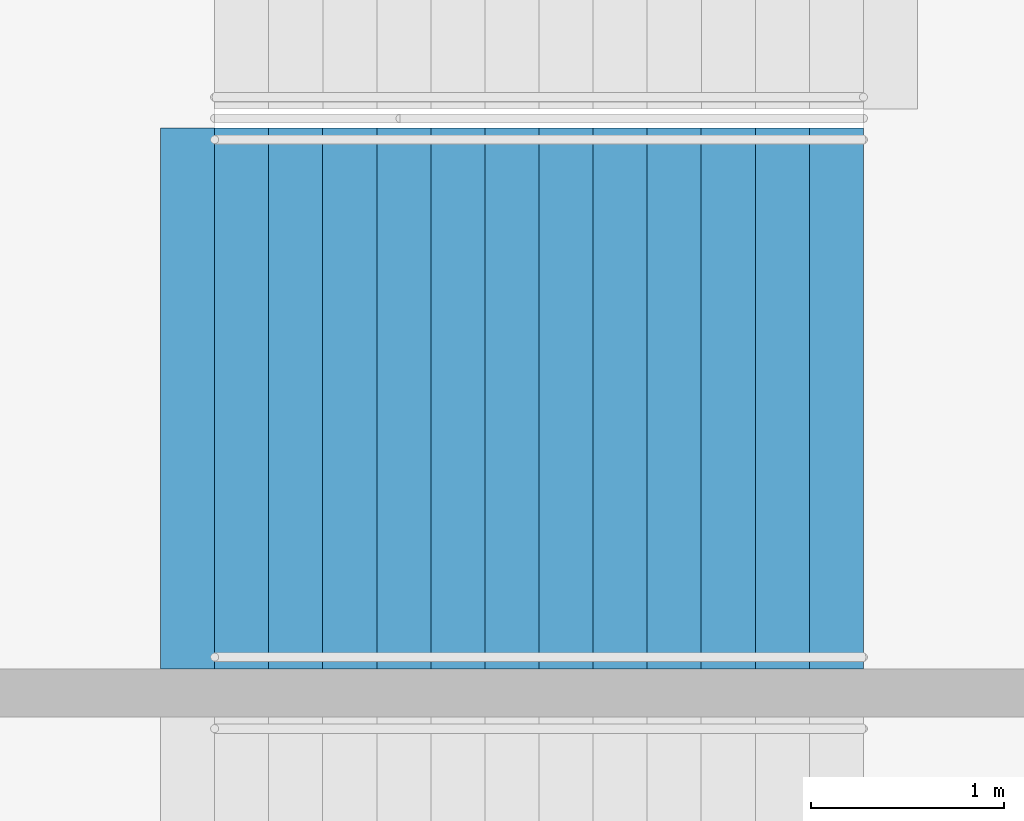
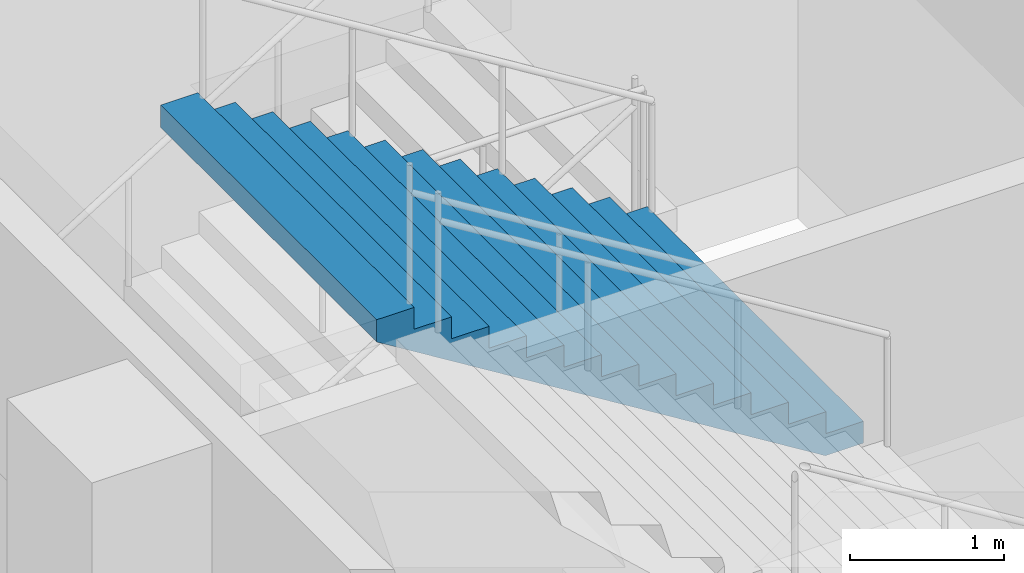
# One storey, part 182 of 249: 1 stair flight, 1 element without a shape of its own.
"""IFC4 building model written with IfcOpenShell, lengths in metres."""

from ifc_helpers import new_model, si_unit, direction, frame, origin, place, context, subcontext, project, spatial, faceted_brep, material, type_object, element, aggregate, save


model = new_model("IFC4")

# Units and contexts
model_context = context("Model", 3, precision=1e-05, world=origin(), true_north=direction((0.0, 1.0)))
body_context = subcontext(model_context, "Body", "Model", "MODEL_VIEW")
ifc_project = project(units=[si_unit("LENGTHUNIT", "METRE"), si_unit("AREAUNIT", "SQUARE_METRE"), si_unit("VOLUMEUNIT", "CUBIC_METRE"), si_unit("PLANEANGLEUNIT", "RADIAN"), si_unit("MASSUNIT", "GRAM", prefix="KILO")], contexts=[model_context])

# Site, building, storey
site_placement = place(None, origin())
site = spatial("IfcSite", under=ifc_project, at=site_placement, CompositionType="ELEMENT")
building_placement = place(site_placement, origin())
building = spatial("IfcBuilding", under=site, at=building_placement, Name="Ogive Plaza Stadium", CompositionType="ELEMENT")
storey_placement = place(building_placement, frame((0.0, 0.0, 13.5)))
storey = spatial("IfcBuildingStorey", under=building, at=storey_placement, Name="L03", CompositionType="ELEMENT", Elevation=13.5)

# Stair, stair flight
ifc_material_1 = material(Name="Concrete C40/50", Category="concrete")
stair_type = type_object("IfcStairType", Name="Exit stair", PredefinedType="STRAIGHT_RUN_STAIR", material=ifc_material_1)
stair_placement = place(storey_placement, origin())
stair = element("IfcStair", 1, at=stair_placement, inside=storey, type_object=stair_type, Name="Exit stair ST06B L03 to L04", PredefinedType="STRAIGHT_RUN_STAIR")
ifc_material_2 = material(Name="Concrete C40/50", Category="concrete")
stair_flight_type = type_object("IfcStairFlightType", Name="Exit stair flight", PredefinedType="STRAIGHT", material=ifc_material_2)
stair_flight_placement = place(storey_placement, frame((79.7099609375, -20.97509765625, 2.25), z_axis=(0.0, 0.0, 1.0), x_axis=(-1.0, 0.0, 0.0)))
stair_flight = element("IfcStairFlight", 2, at=stair_flight_placement, type_object=stair_flight_type, Name="ST06B flight 2", NumberOfRisers=13, NumberOfTreads=12, PredefinedType="STRAIGHT", RiserHeight=0.173076923, TreadLength=0.28, context=body_context, shape_type="Brep", body=[
    faceted_brep([(0.28515625, -1.39990234375, 0.0), (3.639892578125, -1.39990234375, 2.07373046875), (3.639892578125, -1.39990234375, 2.25), (3.360107421875, -1.39990234375, 2.25), (3.360107421875, -1.39990234375, 2.076904296875), (3.080078125, -1.39990234375, 2.076904296875), (3.080078125, -1.39990234375, 1.90380859375), (2.800048828125, -1.39990234375, 1.90380859375), (2.800048828125, -1.39990234375, 1.730712890625), (2.52001953125, -1.39990234375, 1.730712890625), (2.52001953125, -1.39990234375, 1.5576171875), (2.239990234375, -1.39990234375, 1.5576171875), (2.239990234375, -1.39990234375, 1.384521484375), (1.9599609375, -1.39990234375, 1.384521484375), (1.9599609375, -1.39990234375, 1.21142578125), (1.679931640625, -1.39990234375, 1.21142578125), (1.679931640625, -1.39990234375, 1.03857421875), (1.39990234375, -1.39990234375, 1.03857421875), (1.39990234375, -1.39990234375, 0.865478515625), (1.1201171875, -1.39990234375, 0.865478515625), (1.1201171875, -1.39990234375, 0.6923828125), (0.840087890625, -1.39990234375, 0.6923828125), (0.840087890625, -1.39990234375, 0.519287109375), (0.56005859375, -1.39990234375, 0.519287109375), (0.56005859375, -1.39990234375, 0.34619140625), (0.280029296875, -1.39990234375, 0.34619140625), (0.280029296875, -1.39990234375, 0.173095703125), (0.0, -1.39990234375, 0.173095703125), (0.0, -1.39990234375, 0.0), (0.0, 1.39990234375, 0.0), (0.0, 1.39990234375, 0.173095703125), (0.280029296875, 1.39990234375, 0.173095703125), (0.280029296875, 1.39990234375, 0.34619140625), (0.56005859375, 1.39990234375, 0.34619140625), (0.56005859375, 1.39990234375, 0.519287109375), (0.840087890625, 1.39990234375, 0.519287109375), (0.840087890625, 1.39990234375, 0.6923828125), (1.1201171875, 1.39990234375, 0.6923828125), (1.1201171875, 1.39990234375, 0.865478515625), (1.39990234375, 1.39990234375, 0.865478515625), (1.39990234375, 1.39990234375, 1.03857421875), (1.679931640625, 1.39990234375, 1.03857421875), (1.679931640625, 1.39990234375, 1.21142578125), (1.9599609375, 1.39990234375, 1.21142578125), (1.9599609375, 1.39990234375, 1.384521484375), (2.239990234375, 1.39990234375, 1.384521484375), (2.239990234375, 1.39990234375, 1.5576171875), (2.52001953125, 1.39990234375, 1.5576171875), (2.52001953125, 1.39990234375, 1.730712890625), (2.800048828125, 1.39990234375, 1.730712890625), (2.800048828125, 1.39990234375, 1.90380859375), (3.080078125, 1.39990234375, 1.90380859375), (3.080078125, 1.39990234375, 2.076904296875), (3.360107421875, 1.39990234375, 2.076904296875), (3.360107421875, 1.39990234375, 2.25), (3.639892578125, 1.39990234375, 2.25), (3.639892578125, 1.39990234375, 2.07373046875), (0.28515625, 1.39990234375, 0.0), (0.28515625, -1.0888671875, 0.0), (3.639892578125, -1.0888671875, 2.07373046875), (0.28515625, -0.77783203125, 0.0), (3.639892578125, -0.77783203125, 2.07373046875), (0.28515625, -0.466796875, 0.0), (3.639892578125, -0.466796875, 2.07373046875), (0.28515625, -0.155517578125, 0.0), (3.639892578125, -0.155517578125, 2.07373046875), (0.28515625, 0.155517578125, 0.0), (3.639892578125, 0.155517578125, 2.07373046875), (0.28515625, 0.466796875, 0.0), (3.639892578125, 0.466796875, 2.07373046875), (0.28515625, 0.77783203125, 0.0), (3.639892578125, 0.77783203125, 2.07373046875), (0.28515625, 1.0888671875, 0.0), (3.639892578125, 1.0888671875, 2.07373046875), (3.639892578125, -1.0888671875, 2.25), (3.639892578125, -0.77783203125, 2.25), (3.639892578125, -0.466796875, 2.25), (3.639892578125, -0.155517578125, 2.25), (3.639892578125, 0.155517578125, 2.25), (3.639892578125, 0.466796875, 2.25), (3.639892578125, 0.77783203125, 2.25), (3.639892578125, 1.0888671875, 2.25), (3.360107421875, -1.0888671875, 2.25), (3.360107421875, -0.77783203125, 2.25), (3.360107421875, -0.466796875, 2.25), (3.360107421875, -0.155517578125, 2.25), (3.360107421875, 0.155517578125, 2.25), (3.360107421875, 0.466796875, 2.25), (3.360107421875, 0.77783203125, 2.25), (3.360107421875, 1.0888671875, 2.25), (3.360107421875, -1.0888671875, 2.076904296875), (3.360107421875, -0.77783203125, 2.076904296875), (3.360107421875, -0.466796875, 2.076904296875), (3.360107421875, -0.155517578125, 2.076904296875), (3.360107421875, 0.155517578125, 2.076904296875), (3.360107421875, 0.466796875, 2.076904296875), (3.360107421875, 0.77783203125, 2.076904296875), (3.360107421875, 1.0888671875, 2.076904296875), (3.080078125, -1.0888671875, 2.076904296875), (3.080078125, -0.77783203125, 2.076904296875), (3.080078125, -0.466796875, 2.076904296875), (3.080078125, -0.155517578125, 2.076904296875), (3.080078125, 0.155517578125, 2.076904296875), (3.080078125, 0.466796875, 2.076904296875), (3.080078125, 0.77783203125, 2.076904296875), (3.080078125, 1.0888671875, 2.076904296875), (3.080078125, -1.0888671875, 1.90380859375), (3.080078125, -0.77783203125, 1.90380859375), (3.080078125, -0.466796875, 1.90380859375), (3.080078125, -0.155517578125, 1.90380859375), (3.080078125, 0.155517578125, 1.90380859375), (3.080078125, 0.466796875, 1.90380859375), (3.080078125, 0.77783203125, 1.90380859375), (3.080078125, 1.0888671875, 1.90380859375), (2.800048828125, -1.0888671875, 1.90380859375), (2.800048828125, -0.77783203125, 1.90380859375), (2.800048828125, -0.466796875, 1.90380859375), (2.800048828125, -0.155517578125, 1.90380859375), (2.800048828125, 0.155517578125, 1.90380859375), (2.800048828125, 0.466796875, 1.90380859375), (2.800048828125, 0.77783203125, 1.90380859375), (2.800048828125, 1.0888671875, 1.90380859375), (2.800048828125, -1.0888671875, 1.730712890625), (2.800048828125, -0.77783203125, 1.730712890625), (2.800048828125, -0.466796875, 1.730712890625), (2.800048828125, -0.155517578125, 1.730712890625), (2.800048828125, 0.155517578125, 1.730712890625), (2.800048828125, 0.466796875, 1.730712890625), (2.800048828125, 0.77783203125, 1.730712890625), (2.800048828125, 1.0888671875, 1.730712890625), (2.52001953125, -1.0888671875, 1.730712890625), (2.52001953125, -0.77783203125, 1.730712890625), (2.52001953125, -0.466796875, 1.730712890625), (2.52001953125, -0.155517578125, 1.730712890625), (2.52001953125, 0.155517578125, 1.730712890625), (2.52001953125, 0.466796875, 1.730712890625), (2.52001953125, 0.77783203125, 1.730712890625), (2.52001953125, 1.0888671875, 1.730712890625), (2.52001953125, -1.0888671875, 1.5576171875), (2.52001953125, -0.77783203125, 1.5576171875), (2.52001953125, -0.466796875, 1.5576171875), (2.52001953125, -0.155517578125, 1.5576171875), (2.52001953125, 0.155517578125, 1.5576171875), (2.52001953125, 0.466796875, 1.5576171875), (2.52001953125, 0.77783203125, 1.5576171875), (2.52001953125, 1.0888671875, 1.5576171875), (2.239990234375, -1.0888671875, 1.5576171875), (2.239990234375, -0.77783203125, 1.5576171875), (2.239990234375, -0.466796875, 1.5576171875), (2.239990234375, -0.155517578125, 1.5576171875), (2.239990234375, 0.155517578125, 1.5576171875), (2.239990234375, 0.466796875, 1.5576171875), (2.239990234375, 0.77783203125, 1.5576171875), (2.239990234375, 1.0888671875, 1.5576171875), (2.239990234375, -1.0888671875, 1.384521484375), (2.239990234375, -0.77783203125, 1.384521484375), (2.239990234375, -0.466796875, 1.384521484375), (2.239990234375, -0.155517578125, 1.384521484375), (2.239990234375, 0.155517578125, 1.384521484375), (2.239990234375, 0.466796875, 1.384521484375), (2.239990234375, 0.77783203125, 1.384521484375), (2.239990234375, 1.0888671875, 1.384521484375), (1.9599609375, -1.0888671875, 1.384521484375), (1.9599609375, -0.77783203125, 1.384521484375), (1.9599609375, -0.466796875, 1.384521484375), (1.9599609375, -0.155517578125, 1.384521484375), (1.9599609375, 0.155517578125, 1.384521484375), (1.9599609375, 0.466796875, 1.384521484375), (1.9599609375, 0.77783203125, 1.384521484375), (1.9599609375, 1.0888671875, 1.384521484375), (1.9599609375, -1.0888671875, 1.21142578125), (1.9599609375, -0.77783203125, 1.21142578125), (1.9599609375, -0.466796875, 1.21142578125), (1.9599609375, -0.155517578125, 1.21142578125), (1.9599609375, 0.155517578125, 1.21142578125), (1.9599609375, 0.466796875, 1.21142578125), (1.9599609375, 0.77783203125, 1.21142578125), (1.9599609375, 1.0888671875, 1.21142578125), (1.679931640625, -1.0888671875, 1.21142578125), (1.679931640625, -0.77783203125, 1.21142578125), (1.679931640625, -0.466796875, 1.21142578125), (1.679931640625, -0.155517578125, 1.21142578125), (1.679931640625, 0.155517578125, 1.21142578125), (1.679931640625, 0.466796875, 1.21142578125), (1.679931640625, 0.77783203125, 1.21142578125), (1.679931640625, 1.0888671875, 1.21142578125), (1.679931640625, -1.0888671875, 1.03857421875), (1.679931640625, -0.77783203125, 1.03857421875), (1.679931640625, -0.466796875, 1.03857421875), (1.679931640625, -0.155517578125, 1.03857421875), (1.679931640625, 0.155517578125, 1.03857421875), (1.679931640625, 0.466796875, 1.03857421875), (1.679931640625, 0.77783203125, 1.03857421875), (1.679931640625, 1.0888671875, 1.03857421875), (1.39990234375, -1.0888671875, 1.03857421875), (1.39990234375, -0.77783203125, 1.03857421875), (1.39990234375, -0.466796875, 1.03857421875), (1.39990234375, -0.155517578125, 1.03857421875), (1.39990234375, 0.155517578125, 1.03857421875), (1.39990234375, 0.466796875, 1.03857421875), (1.39990234375, 0.77783203125, 1.03857421875), (1.39990234375, 1.0888671875, 1.03857421875), (1.39990234375, -1.0888671875, 0.865478515625), (1.39990234375, -0.77783203125, 0.865478515625), (1.39990234375, -0.466796875, 0.865478515625), (1.39990234375, -0.155517578125, 0.865478515625), (1.39990234375, 0.155517578125, 0.865478515625), (1.39990234375, 0.466796875, 0.865478515625), (1.39990234375, 0.77783203125, 0.865478515625), (1.39990234375, 1.0888671875, 0.865478515625), (1.1201171875, -1.0888671875, 0.865478515625), (1.1201171875, -0.77783203125, 0.865478515625), (1.1201171875, -0.466796875, 0.865478515625), (1.1201171875, -0.155517578125, 0.865478515625), (1.1201171875, 0.155517578125, 0.865478515625), (1.1201171875, 0.466796875, 0.865478515625), (1.1201171875, 0.77783203125, 0.865478515625), (1.1201171875, 1.0888671875, 0.865478515625), (1.1201171875, -1.0888671875, 0.6923828125), (1.1201171875, -0.77783203125, 0.6923828125), (1.1201171875, -0.466796875, 0.6923828125), (1.1201171875, -0.155517578125, 0.6923828125), (1.1201171875, 0.155517578125, 0.6923828125), (1.1201171875, 0.466796875, 0.6923828125), (1.1201171875, 0.77783203125, 0.6923828125), (1.1201171875, 1.0888671875, 0.6923828125), (0.840087890625, -1.0888671875, 0.6923828125), (0.840087890625, -0.77783203125, 0.6923828125), (0.840087890625, -0.466796875, 0.6923828125), (0.840087890625, -0.155517578125, 0.6923828125), (0.840087890625, 0.155517578125, 0.6923828125), (0.840087890625, 0.466796875, 0.6923828125), (0.840087890625, 0.77783203125, 0.6923828125), (0.840087890625, 1.0888671875, 0.6923828125), (0.840087890625, -1.0888671875, 0.519287109375), (0.840087890625, -0.77783203125, 0.519287109375), (0.840087890625, -0.466796875, 0.519287109375), (0.840087890625, -0.155517578125, 0.519287109375), (0.840087890625, 0.155517578125, 0.519287109375), (0.840087890625, 0.466796875, 0.519287109375), (0.840087890625, 0.77783203125, 0.519287109375), (0.840087890625, 1.0888671875, 0.519287109375), (0.56005859375, -1.0888671875, 0.519287109375), (0.56005859375, -0.77783203125, 0.519287109375), (0.56005859375, -0.466796875, 0.519287109375), (0.56005859375, -0.155517578125, 0.519287109375), (0.56005859375, 0.155517578125, 0.519287109375), (0.56005859375, 0.466796875, 0.519287109375), (0.56005859375, 0.77783203125, 0.519287109375), (0.56005859375, 1.0888671875, 0.519287109375), (0.56005859375, -1.0888671875, 0.34619140625), (0.56005859375, -0.77783203125, 0.34619140625), (0.56005859375, -0.466796875, 0.34619140625), (0.56005859375, -0.155517578125, 0.34619140625), (0.56005859375, 0.155517578125, 0.34619140625), (0.56005859375, 0.466796875, 0.34619140625), (0.56005859375, 0.77783203125, 0.34619140625), (0.56005859375, 1.0888671875, 0.34619140625), (0.280029296875, -1.0888671875, 0.34619140625), (0.280029296875, -0.77783203125, 0.34619140625), (0.280029296875, -0.466796875, 0.34619140625), (0.280029296875, -0.155517578125, 0.34619140625), (0.280029296875, 0.155517578125, 0.34619140625), (0.280029296875, 0.466796875, 0.34619140625), (0.280029296875, 0.77783203125, 0.34619140625), (0.280029296875, 1.0888671875, 0.34619140625), (0.280029296875, -1.0888671875, 0.173095703125), (0.280029296875, -0.77783203125, 0.173095703125), (0.280029296875, -0.466796875, 0.173095703125), (0.280029296875, -0.155517578125, 0.173095703125), (0.280029296875, 0.155517578125, 0.173095703125), (0.280029296875, 0.466796875, 0.173095703125), (0.280029296875, 0.77783203125, 0.173095703125), (0.280029296875, 1.0888671875, 0.173095703125), (0.0, -1.0888671875, 0.173095703125), (0.0, -0.77783203125, 0.173095703125), (0.0, -0.466796875, 0.173095703125), (0.0, -0.155517578125, 0.173095703125), (0.0, 0.155517578125, 0.173095703125), (0.0, 0.466796875, 0.173095703125), (0.0, 0.77783203125, 0.173095703125), (0.0, 1.0888671875, 0.173095703125), (0.0, -1.0888671875, 0.0), (0.0, -0.77783203125, 0.0), (0.0, -0.466796875, 0.0), (0.0, -0.155517578125, 0.0), (0.0, 0.155517578125, 0.0), (0.0, 0.466796875, 0.0), (0.0, 0.77783203125, 0.0), (0.0, 1.0888671875, 0.0)], [[[0, 1, 2, 3, 4, 5, 6, 7, 8, 9, 10, 11, 12, 13, 14, 15, 16, 17, 18, 19, 20, 21, 22, 23, 24, 25, 26, 27, 28]], [[29, 30, 31, 32, 33, 34, 35, 36, 37, 38, 39, 40, 41, 42, 43, 44, 45, 46, 47, 48, 49, 50, 51, 52, 53, 54, 55, 56, 57]], [[0, 58, 59, 1]], [[58, 60, 61, 59]], [[60, 62, 63, 61]], [[62, 64, 65, 63]], [[64, 66, 67, 65]], [[66, 68, 69, 67]], [[68, 70, 71, 69]], [[70, 72, 73, 71]], [[72, 57, 56, 73]], [[1, 59, 74, 2]], [[59, 61, 75, 74]], [[61, 63, 76, 75]], [[63, 65, 77, 76]], [[65, 67, 78, 77]], [[67, 69, 79, 78]], [[69, 71, 80, 79]], [[71, 73, 81, 80]], [[73, 56, 55, 81]], [[2, 74, 82, 3]], [[74, 75, 83, 82]], [[75, 76, 84, 83]], [[76, 77, 85, 84]], [[77, 78, 86, 85]], [[78, 79, 87, 86]], [[79, 80, 88, 87]], [[80, 81, 89, 88]], [[81, 55, 54, 89]], [[3, 82, 90, 4]], [[82, 83, 91, 90]], [[83, 84, 92, 91]], [[84, 85, 93, 92]], [[85, 86, 94, 93]], [[86, 87, 95, 94]], [[87, 88, 96, 95]], [[88, 89, 97, 96]], [[89, 54, 53, 97]], [[4, 90, 98, 5]], [[90, 91, 99, 98]], [[91, 92, 100, 99]], [[92, 93, 101, 100]], [[93, 94, 102, 101]], [[94, 95, 103, 102]], [[95, 96, 104, 103]], [[96, 97, 105, 104]], [[97, 53, 52, 105]], [[5, 98, 106, 6]], [[98, 99, 107, 106]], [[99, 100, 108, 107]], [[100, 101, 109, 108]], [[101, 102, 110, 109]], [[102, 103, 111, 110]], [[103, 104, 112, 111]], [[104, 105, 113, 112]], [[105, 52, 51, 113]], [[6, 106, 114, 7]], [[106, 107, 115, 114]], [[107, 108, 116, 115]], [[108, 109, 117, 116]], [[109, 110, 118, 117]], [[110, 111, 119, 118]], [[111, 112, 120, 119]], [[112, 113, 121, 120]], [[113, 51, 50, 121]], [[7, 114, 122, 8]], [[114, 115, 123, 122]], [[115, 116, 124, 123]], [[116, 117, 125, 124]], [[117, 118, 126, 125]], [[118, 119, 127, 126]], [[119, 120, 128, 127]], [[120, 121, 129, 128]], [[121, 50, 49, 129]], [[8, 122, 130, 9]], [[122, 123, 131, 130]], [[123, 124, 132, 131]], [[124, 125, 133, 132]], [[125, 126, 134, 133]], [[126, 127, 135, 134]], [[127, 128, 136, 135]], [[128, 129, 137, 136]], [[129, 49, 48, 137]], [[9, 130, 138, 10]], [[130, 131, 139, 138]], [[131, 132, 140, 139]], [[132, 133, 141, 140]], [[133, 134, 142, 141]], [[134, 135, 143, 142]], [[135, 136, 144, 143]], [[136, 137, 145, 144]], [[137, 48, 47, 145]], [[10, 138, 146, 11]], [[138, 139, 147, 146]], [[139, 140, 148, 147]], [[140, 141, 149, 148]], [[141, 142, 150, 149]], [[142, 143, 151, 150]], [[143, 144, 152, 151]], [[144, 145, 153, 152]], [[145, 47, 46, 153]], [[11, 146, 154, 12]], [[146, 147, 155, 154]], [[147, 148, 156, 155]], [[148, 149, 157, 156]], [[149, 150, 158, 157]], [[150, 151, 159, 158]], [[151, 152, 160, 159]], [[152, 153, 161, 160]], [[153, 46, 45, 161]], [[12, 154, 162, 13]], [[154, 155, 163, 162]], [[155, 156, 164, 163]], [[156, 157, 165, 164]], [[157, 158, 166, 165]], [[158, 159, 167, 166]], [[159, 160, 168, 167]], [[160, 161, 169, 168]], [[161, 45, 44, 169]], [[13, 162, 170, 14]], [[162, 163, 171, 170]], [[163, 164, 172, 171]], [[164, 165, 173, 172]], [[165, 166, 174, 173]], [[166, 167, 175, 174]], [[167, 168, 176, 175]], [[168, 169, 177, 176]], [[169, 44, 43, 177]], [[14, 170, 178, 15]], [[170, 171, 179, 178]], [[171, 172, 180, 179]], [[172, 173, 181, 180]], [[173, 174, 182, 181]], [[174, 175, 183, 182]], [[175, 176, 184, 183]], [[176, 177, 185, 184]], [[177, 43, 42, 185]], [[15, 178, 186, 16]], [[178, 179, 187, 186]], [[179, 180, 188, 187]], [[180, 181, 189, 188]], [[181, 182, 190, 189]], [[182, 183, 191, 190]], [[183, 184, 192, 191]], [[184, 185, 193, 192]], [[185, 42, 41, 193]], [[16, 186, 194, 17]], [[186, 187, 195, 194]], [[187, 188, 196, 195]], [[188, 189, 197, 196]], [[189, 190, 198, 197]], [[190, 191, 199, 198]], [[191, 192, 200, 199]], [[192, 193, 201, 200]], [[193, 41, 40, 201]], [[17, 194, 202, 18]], [[194, 195, 203, 202]], [[195, 196, 204, 203]], [[196, 197, 205, 204]], [[197, 198, 206, 205]], [[198, 199, 207, 206]], [[199, 200, 208, 207]], [[200, 201, 209, 208]], [[201, 40, 39, 209]], [[18, 202, 210, 19]], [[202, 203, 211, 210]], [[203, 204, 212, 211]], [[204, 205, 213, 212]], [[205, 206, 214, 213]], [[206, 207, 215, 214]], [[207, 208, 216, 215]], [[208, 209, 217, 216]], [[209, 39, 38, 217]], [[19, 210, 218, 20]], [[210, 211, 219, 218]], [[211, 212, 220, 219]], [[212, 213, 221, 220]], [[213, 214, 222, 221]], [[214, 215, 223, 222]], [[215, 216, 224, 223]], [[216, 217, 225, 224]], [[217, 38, 37, 225]], [[20, 218, 226, 21]], [[218, 219, 227, 226]], [[219, 220, 228, 227]], [[220, 221, 229, 228]], [[221, 222, 230, 229]], [[222, 223, 231, 230]], [[223, 224, 232, 231]], [[224, 225, 233, 232]], [[225, 37, 36, 233]], [[21, 226, 234, 22]], [[226, 227, 235, 234]], [[227, 228, 236, 235]], [[228, 229, 237, 236]], [[229, 230, 238, 237]], [[230, 231, 239, 238]], [[231, 232, 240, 239]], [[232, 233, 241, 240]], [[233, 36, 35, 241]], [[22, 234, 242, 23]], [[234, 235, 243, 242]], [[235, 236, 244, 243]], [[236, 237, 245, 244]], [[237, 238, 246, 245]], [[238, 239, 247, 246]], [[239, 240, 248, 247]], [[240, 241, 249, 248]], [[241, 35, 34, 249]], [[23, 242, 250, 24]], [[242, 243, 251, 250]], [[243, 244, 252, 251]], [[244, 245, 253, 252]], [[245, 246, 254, 253]], [[246, 247, 255, 254]], [[247, 248, 256, 255]], [[248, 249, 257, 256]], [[249, 34, 33, 257]], [[24, 250, 258, 25]], [[250, 251, 259, 258]], [[251, 252, 260, 259]], [[252, 253, 261, 260]], [[253, 254, 262, 261]], [[254, 255, 263, 262]], [[255, 256, 264, 263]], [[256, 257, 265, 264]], [[257, 33, 32, 265]], [[25, 258, 266, 26]], [[258, 259, 267, 266]], [[259, 260, 268, 267]], [[260, 261, 269, 268]], [[261, 262, 270, 269]], [[262, 263, 271, 270]], [[263, 264, 272, 271]], [[264, 265, 273, 272]], [[265, 32, 31, 273]], [[26, 266, 274, 27]], [[266, 267, 275, 274]], [[267, 268, 276, 275]], [[268, 269, 277, 276]], [[269, 270, 278, 277]], [[270, 271, 279, 278]], [[271, 272, 280, 279]], [[272, 273, 281, 280]], [[273, 31, 30, 281]], [[27, 274, 282, 28]], [[274, 275, 283, 282]], [[275, 276, 284, 283]], [[276, 277, 285, 284]], [[277, 278, 286, 285]], [[278, 279, 287, 286]], [[279, 280, 288, 287]], [[280, 281, 289, 288]], [[281, 30, 29, 289]], [[28, 282, 58, 0]], [[282, 283, 60, 58]], [[283, 284, 62, 60]], [[284, 285, 64, 62]], [[285, 286, 66, 64]], [[286, 287, 68, 66]], [[287, 288, 70, 68]], [[288, 289, 72, 70]], [[289, 29, 57, 72]]]),
])
aggregate(stair, [stair_flight])

save(model, "model.ifc")
